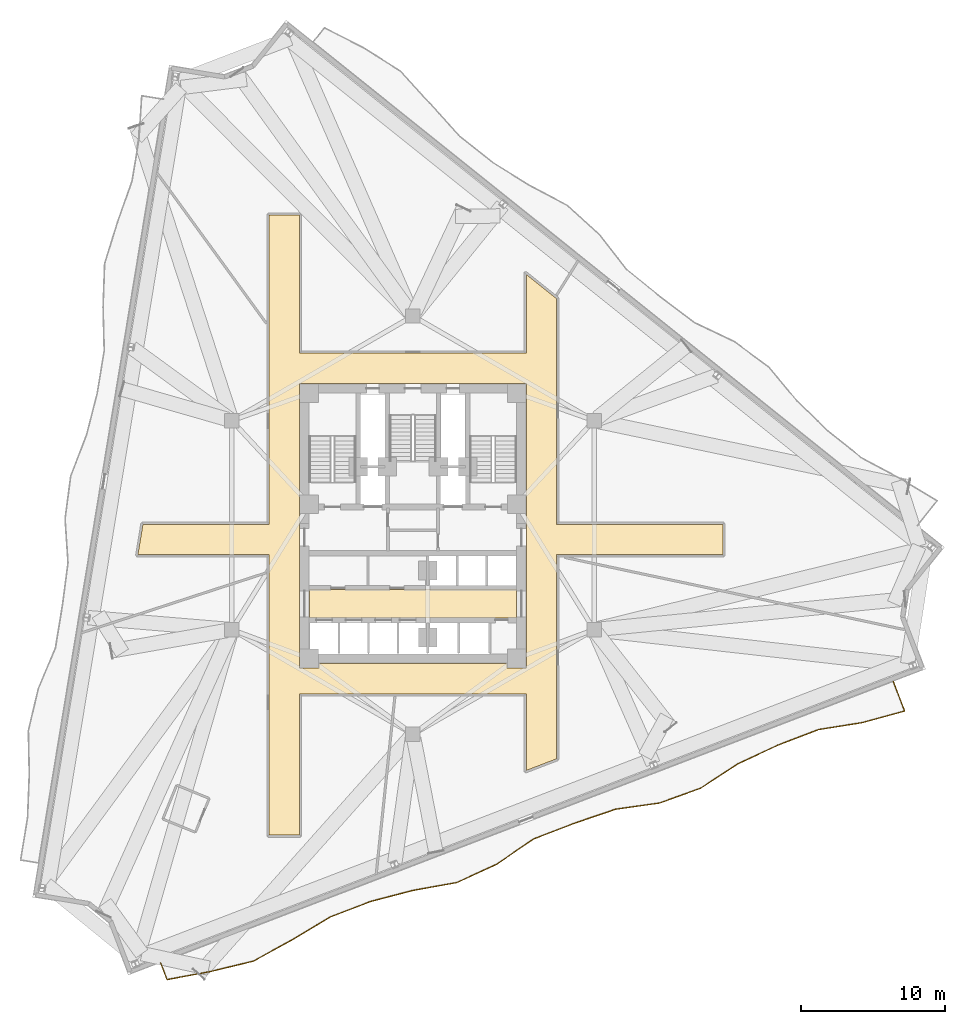
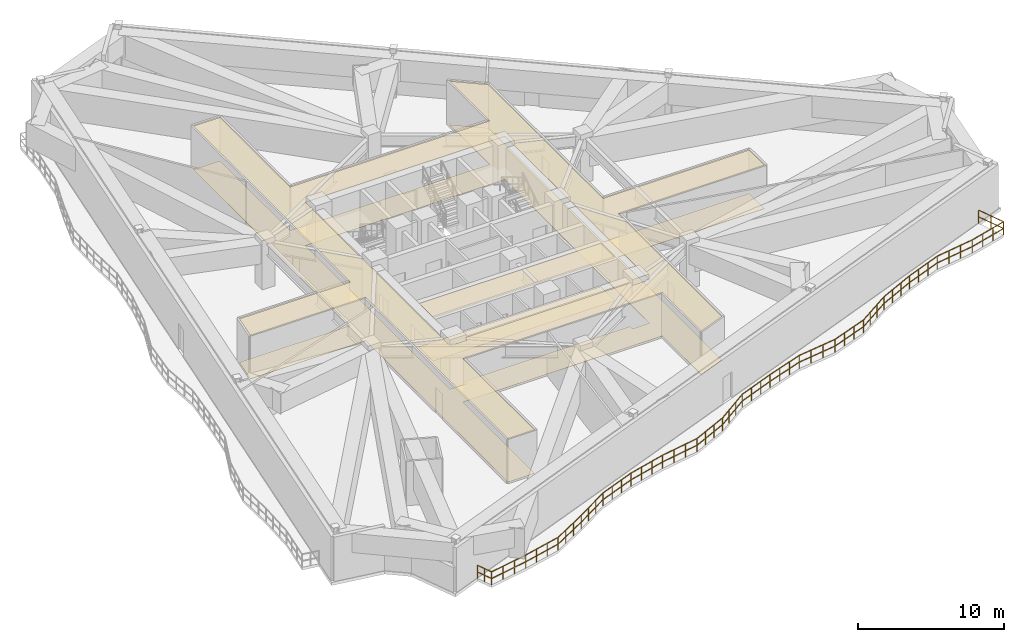
# One storey, part 11 of 14: 4 coverings, 1 railing.
"""IFC4 building model written with IfcOpenShell, lengths in metres."""

from ifc_helpers import new_model, si_unit, direction, frame, origin, origin_2d, place, context, subcontext, project, spatial, polyline, rectangle, outline, extrude, material, layer, layer_set, type_object, element, save


model = new_model("IFC4")

# Units and contexts
model_context = context("Model", 3, precision=1e-05, world=origin(), true_north=direction((0.0, 1.0)))
body_context = subcontext(model_context, "Body", "Model", "MODEL_VIEW")
ifc_project = project(units=[si_unit("LENGTHUNIT", "METRE"), si_unit("AREAUNIT", "SQUARE_METRE"), si_unit("VOLUMEUNIT", "CUBIC_METRE"), si_unit("PLANEANGLEUNIT", "RADIAN"), si_unit("MASSUNIT", "GRAM", prefix="KILO")], contexts=[model_context])

# Site, building, storey
site_placement = place(None, origin())
site = spatial("IfcSite", under=ifc_project, at=site_placement, CompositionType="ELEMENT")
building_placement = place(site_placement, origin())
building = spatial("IfcBuilding", under=site, at=building_placement, Name="Apsidion Concourse Tower", CompositionType="ELEMENT")
storey_placement = place(building_placement, frame((0.0, 0.0, 156.800048828125)))
storey = spatial("IfcBuildingStorey", under=building, at=storey_placement, Name="L36", CompositionType="ELEMENT", Elevation=156.800048828125)

# Coverings
ifc_material_1 = material(Name="Acoustic mineral fibre ceiling")
ifc_layer_1 = layer(ifc_material_1, 0.0400390625)
ifc_layer_set_1 = layer_set([ifc_layer_1], Name="Acoustic mineral fibre ceiling")
covering_type_1 = type_object("IfcCoveringType", Name="COV-CEIL-40", PredefinedType="CEILING", material=ifc_layer_set_1)
covering_1_placement = place(storey_placement, frame((0.0, 0.0, 3.599853515625)))
element("IfcCovering", 1, at=covering_1_placement, inside=storey, type_object=covering_type_1, Name="L36 Acoustic Ceiling Grid 1", PredefinedType="CEILING", context=body_context, shape_type="SweptSolid", body=[
    extrude(outline(polyline([(-7.179931640625, -6.449951171875), (-7.179931640625, -4.47998046875), (7.179931640625, -4.47998046875), (7.179931640625, -6.449951171875), (-7.179931640625, -6.449951171875)])), origin(), (0.0, 0.0, 1.0), 0.0400390625),
])
covering_2_placement = place(storey_placement, frame((0.0, 0.0, 3.599853515625)))
element("IfcCovering", 2, at=covering_2_placement, inside=storey, type_object=covering_type_1, Name="L36 Acoustic Ceiling Grid 2", PredefinedType="CEILING", context=body_context, shape_type="SweptSolid", body=[
    extrude(outline(polyline([(9.969970703125, -16.20458984375), (7.8701171875, -17.0107421875), (7.8701171875, -11.695068359375), (-7.8701171875, -11.695068359375), (-7.8701171875, -21.5), (-9.969970703125, -21.5), (-9.969970703125, -11.695068359375), (-9.969970703125, -2.050048828125), (-19.0703125, -2.050048828125), (-18.7255859375, 0.050048828125), (-9.969970703125, 0.050048828125), (-9.969970703125, 11.919921875), (-9.969970703125, 21.5), (-7.8701171875, 21.5), (-7.8701171875, 11.919921875), (7.8701171875, 11.919921875), (7.8701171875, 17.3798828125), (9.969970703125, 15.698974609375), (9.969970703125, 11.919921875), (9.969970703125, 0.050048828125), (21.5, 0.050048828125), (21.5, -2.050048828125), (9.969970703125, -2.050048828125), (9.969970703125, -11.695068359375), (9.969970703125, -16.20458984375)]), holes=[polyline([(7.8701171875, -8.60009765625), (7.8701171875, -2.050048828125), (7.8701171875, 0.050048828125), (7.8701171875, 0.800048828125), (7.8701171875, 2.10009765625), (7.8701171875, 8.5), (7.8701171875, 9.800048828125), (7.8701171875, 9.820068359375), (7.85009765625, 9.820068359375), (6.550048828125, 9.820068359375), (-6.550048828125, 9.820068359375), (-7.85009765625, 9.820068359375), (-7.8701171875, 9.820068359375), (-7.8701171875, 9.800048828125), (-7.8701171875, 8.5), (-7.8701171875, 2.10009765625), (-7.8701171875, 0.800048828125), (-7.8701171875, 0.050048828125), (-7.8701171875, -2.050048828125), (-7.8701171875, -8.60009765625), (-7.8701171875, -9.594970703125), (-7.8701171875, -9.89990234375), (-7.869873046875, -9.902099609375), (-7.86962890625, -9.90380859375), (-7.869140625, -9.90576171875), (-7.868408203125, -9.90771484375), (-7.86767578125, -9.909423828125), (-7.86669921875, -9.9111328125), (-7.865478515625, -9.91259765625), (-7.864013671875, -9.9140625), (-7.86279296875, -9.91552734375), (-7.861083984375, -9.91650390625), (-7.859375, -9.91748046875), (-7.857666015625, -9.91845703125), (-7.855712890625, -9.919189453125), (-7.85400390625, -9.919677734375), (-7.85205078125, -9.919921875), (-7.85009765625, -9.919921875), (-6.550048828125, -9.919921875), (-6.548095703125, -9.919921875), (-6.546142578125, -9.919677734375), (-6.544189453125, -9.919189453125), (-6.542236328125, -9.91845703125), (-6.54052734375, -9.91748046875), (-6.538818359375, -9.91650390625), (-6.537353515625, -9.91552734375), (-6.535888671875, -9.9140625), (-6.534423828125, -9.91259765625), (-6.533447265625, -9.9111328125), (-6.532470703125, -9.909423828125), (-6.531494140625, -9.90771484375), (-6.531005859375, -9.90576171875), (-6.530517578125, -9.90380859375), (-6.530029296875, -9.902099609375), (-6.530029296875, -9.89990234375), (-6.530029296875, -9.594970703125), (6.530029296875, -9.594970703125), (6.530029296875, -9.89990234375), (6.530029296875, -9.902099609375), (6.530517578125, -9.90380859375), (6.531005859375, -9.90576171875), (6.531494140625, -9.90771484375), (6.532470703125, -9.909423828125), (6.533447265625, -9.9111328125), (6.534423828125, -9.91259765625), (6.535888671875, -9.9140625), (6.537353515625, -9.91552734375), (6.538818359375, -9.91650390625), (6.54052734375, -9.91748046875), (6.542236328125, -9.91845703125), (6.544189453125, -9.919189453125), (6.546142578125, -9.919677734375), (6.548095703125, -9.919921875), (6.550048828125, -9.919921875), (7.85009765625, -9.919921875), (7.85205078125, -9.919921875), (7.85400390625, -9.919677734375), (7.855712890625, -9.919189453125), (7.857666015625, -9.91845703125), (7.859375, -9.91748046875), (7.861083984375, -9.91650390625), (7.86279296875, -9.91552734375), (7.864013671875, -9.9140625), (7.865478515625, -9.91259765625), (7.86669921875, -9.9111328125), (7.86767578125, -9.909423828125), (7.868408203125, -9.90771484375), (7.869140625, -9.90576171875), (7.86962890625, -9.90380859375), (7.869873046875, -9.902099609375), (7.8701171875, -9.89990234375), (7.8701171875, -9.594970703125), (7.8701171875, -8.60009765625)])]), origin(), (0.0, 0.0, 1.0), 0.0400390625),
])
ifc_material_2 = material(Name="Honed travertine floor finish", Category="masonry")
ifc_layer_2 = layer(ifc_material_2, 0.02001953125)
ifc_layer_set_2 = layer_set([ifc_layer_2], Name="Honed travertine floor finish")
covering_type_2 = type_object("IfcCoveringType", Name="COV-FLOR-20", PredefinedType="FLOORING", material=ifc_layer_set_2)
covering_3_placement = place(storey_placement, origin())
element("IfcCovering", 3, at=covering_3_placement, inside=storey, type_object=covering_type_2, Name="L36 Honed Travertine Floor Finish 1", PredefinedType="FLOORING", context=body_context, shape_type="SweptSolid", body=[
    extrude(outline(polyline([(-7.179931640625, -6.449951171875), (-7.179931640625, -4.47998046875), (7.179931640625, -4.47998046875), (7.179931640625, -6.449951171875), (-7.179931640625, -6.449951171875)])), origin(), (0.0, 0.0, 1.0), 0.02001953125),
])
covering_4_placement = place(storey_placement, origin())
element("IfcCovering", 4, at=covering_4_placement, inside=storey, type_object=covering_type_2, Name="L36 Honed Travertine Floor Finish 2", PredefinedType="FLOORING", context=body_context, shape_type="SweptSolid", body=[
    extrude(outline(polyline([(9.969970703125, -16.20458984375), (7.8701171875, -17.0107421875), (7.8701171875, -11.695068359375), (-7.8701171875, -11.695068359375), (-7.8701171875, -21.5), (-9.969970703125, -21.5), (-9.969970703125, -11.695068359375), (-9.969970703125, -2.050048828125), (-19.0703125, -2.050048828125), (-18.7255859375, 0.050048828125), (-9.969970703125, 0.050048828125), (-9.969970703125, 11.919921875), (-9.969970703125, 21.5), (-7.8701171875, 21.5), (-7.8701171875, 11.919921875), (7.8701171875, 11.919921875), (7.8701171875, 17.3798828125), (9.969970703125, 15.698974609375), (9.969970703125, 11.919921875), (9.969970703125, 0.050048828125), (21.5, 0.050048828125), (21.5, -2.050048828125), (9.969970703125, -2.050048828125), (9.969970703125, -11.695068359375), (9.969970703125, -16.20458984375)]), holes=[polyline([(7.8701171875, -8.60009765625), (7.8701171875, -2.050048828125), (7.8701171875, 0.050048828125), (7.8701171875, 0.800048828125), (7.8701171875, 2.10009765625), (7.8701171875, 8.5), (7.8701171875, 9.800048828125), (7.8701171875, 9.820068359375), (7.85009765625, 9.820068359375), (6.550048828125, 9.820068359375), (-6.550048828125, 9.820068359375), (-7.85009765625, 9.820068359375), (-7.8701171875, 9.820068359375), (-7.8701171875, 9.800048828125), (-7.8701171875, 8.5), (-7.8701171875, 2.10009765625), (-7.8701171875, 0.800048828125), (-7.8701171875, 0.050048828125), (-7.8701171875, -2.050048828125), (-7.8701171875, -8.60009765625), (-7.8701171875, -9.594970703125), (-7.8701171875, -9.89990234375), (-7.869873046875, -9.902099609375), (-7.86962890625, -9.90380859375), (-7.869140625, -9.90576171875), (-7.868408203125, -9.90771484375), (-7.86767578125, -9.909423828125), (-7.86669921875, -9.9111328125), (-7.865478515625, -9.91259765625), (-7.864013671875, -9.9140625), (-7.86279296875, -9.91552734375), (-7.861083984375, -9.91650390625), (-7.859375, -9.91748046875), (-7.857666015625, -9.91845703125), (-7.855712890625, -9.919189453125), (-7.85400390625, -9.919677734375), (-7.85205078125, -9.919921875), (-7.85009765625, -9.919921875), (-6.550048828125, -9.919921875), (-6.548095703125, -9.919921875), (-6.546142578125, -9.919677734375), (-6.544189453125, -9.919189453125), (-6.542236328125, -9.91845703125), (-6.54052734375, -9.91748046875), (-6.538818359375, -9.91650390625), (-6.537353515625, -9.91552734375), (-6.535888671875, -9.9140625), (-6.534423828125, -9.91259765625), (-6.533447265625, -9.9111328125), (-6.532470703125, -9.909423828125), (-6.531494140625, -9.90771484375), (-6.531005859375, -9.90576171875), (-6.530517578125, -9.90380859375), (-6.530029296875, -9.902099609375), (-6.530029296875, -9.89990234375), (-6.530029296875, -9.594970703125), (6.530029296875, -9.594970703125), (6.530029296875, -9.89990234375), (6.530029296875, -9.902099609375), (6.530517578125, -9.90380859375), (6.531005859375, -9.90576171875), (6.531494140625, -9.90771484375), (6.532470703125, -9.909423828125), (6.533447265625, -9.9111328125), (6.534423828125, -9.91259765625), (6.535888671875, -9.9140625), (6.537353515625, -9.91552734375), (6.538818359375, -9.91650390625), (6.54052734375, -9.91748046875), (6.542236328125, -9.91845703125), (6.544189453125, -9.919189453125), (6.546142578125, -9.919677734375), (6.548095703125, -9.919921875), (6.550048828125, -9.919921875), (7.85009765625, -9.919921875), (7.85205078125, -9.919921875), (7.85400390625, -9.919677734375), (7.855712890625, -9.919189453125), (7.857666015625, -9.91845703125), (7.859375, -9.91748046875), (7.861083984375, -9.91650390625), (7.86279296875, -9.91552734375), (7.864013671875, -9.9140625), (7.865478515625, -9.91259765625), (7.86669921875, -9.9111328125), (7.86767578125, -9.909423828125), (7.868408203125, -9.90771484375), (7.869140625, -9.90576171875), (7.86962890625, -9.90380859375), (7.869873046875, -9.902099609375), (7.8701171875, -9.89990234375), (7.8701171875, -9.594970703125), (7.8701171875, -8.60009765625)])]), origin(), (0.0, 0.0, 1.0), 0.02001953125),
])

# Railing
ifc_material_3 = material(Name="Brushed stainless steel 316", Category="steel")
railing_type = type_object("IfcRailingType", Name="RL-BAL-1120", PredefinedType="BALUSTRADE", material=ifc_material_3)
railing_placement = place(storey_placement, frame((33.314208984375, -10.847900390625, 0.0)))
element("IfcRailing", 5, at=railing_placement, inside=storey, type_object=railing_type, Name="L36 Face 2 Rippling Balcony Balustrade", PredefinedType="BALUSTRADE", context=body_context, shape_type="SweptSolid", body=[
    extrude(rectangle(XDim=0.048095703125, YDim=0.048095703125, at=origin_2d()), frame((0.0, 0.0, 1.09619140625), z_axis=(0.358366698084, -0.933580906887, 0.0), x_axis=(0.933580906887, 0.358366698084, 0.0)), (0.0, 0.0, 1.0), 2.19091796875),
    extrude(rectangle(XDim=0.048095703125, YDim=0.048095703125, at=origin_2d()), frame((0.0, 0.0, 0.5361328125), z_axis=(0.358366698084, -0.933580906887, 0.0), x_axis=(0.933580906887, 0.358366698084, 0.0)), (0.0, 0.0, 1.0), 2.19091796875),
    extrude(rectangle(XDim=0.048095703125, YDim=0.048095703125, at=origin_2d()), frame((0.78515625, -2.04541015625, 1.09619140625), z_axis=(-0.9644274254, -0.264347765522, 0.0), x_axis=(0.264347765522, -0.9644274254, 0.0)), (0.0, 0.0, 1.0), 3.03857421875),
    extrude(rectangle(XDim=0.048095703125, YDim=0.048095703125, at=origin_2d()), frame((0.78515625, -2.04541015625, 0.5361328125), z_axis=(-0.9644274254, -0.264347765522, 0.0), x_axis=(0.264347765522, -0.9644274254, 0.0)), (0.0, 0.0, 1.0), 3.03857421875),
    extrude(rectangle(XDim=0.048095703125, YDim=0.048095703125, at=origin_2d()), frame((-2.145263671875, -2.8486328125, 1.09619140625), z_axis=(-0.987581699024, -0.157106294438, 0.0), x_axis=(0.157106294438, -0.987581699024, 0.0)), (0.0, 0.0, 1.0), 3.0908203125),
    extrude(rectangle(XDim=0.048095703125, YDim=0.048095703125, at=origin_2d()), frame((-2.145263671875, -2.8486328125, 0.5361328125), z_axis=(-0.987581699024, -0.157106294438, 0.0), x_axis=(0.157106294438, -0.987581699024, 0.0)), (0.0, 0.0, 1.0), 3.0908203125),
    extrude(rectangle(XDim=0.048095703125, YDim=0.048095703125, at=origin_2d()), frame((-5.19775390625, -3.334228515625, 1.09619140625), z_axis=(-0.93357015714, -0.35839470099, 0.0), x_axis=(0.35839470099, -0.93357015714, 0.0)), (0.0, 0.0, 1.0), 3.02392578125),
    extrude(rectangle(XDim=0.048095703125, YDim=0.048095703125, at=origin_2d()), frame((-5.19775390625, -3.334228515625, 0.5361328125), z_axis=(-0.93357015714, -0.35839470099, 0.0), x_axis=(0.35839470099, -0.93357015714, 0.0)), (0.0, 0.0, 1.0), 3.02392578125),
    extrude(rectangle(XDim=0.048095703125, YDim=0.048095703125, at=origin_2d()), frame((-8.020751953125, -4.41796875, 1.09619140625), z_axis=(-0.90580007103, -0.42370535909, 0.0), x_axis=(0.42370535909, -0.90580007103, 0.0)), (0.0, 0.0, 1.0), 3.031494140625),
    extrude(rectangle(XDim=0.048095703125, YDim=0.048095703125, at=origin_2d()), frame((-8.020751953125, -4.41796875, 0.5361328125), z_axis=(-0.90580007103, -0.42370535909, 0.0), x_axis=(0.42370535909, -0.90580007103, 0.0)), (0.0, 0.0, 1.0), 3.031494140625),
    extrude(rectangle(XDim=0.048095703125, YDim=0.048095703125, at=origin_2d()), frame((-10.7666015625, -5.702392578125, 1.09619140625), z_axis=(-0.837271242063, -0.546787771639, 0.0), x_axis=(0.546787771639, -0.837271242063, 0.0)), (0.0, 0.0, 1.0), 3.093017578125),
    extrude(rectangle(XDim=0.048095703125, YDim=0.048095703125, at=origin_2d()), frame((-10.7666015625, -5.702392578125, 0.5361328125), z_axis=(-0.837271242063, -0.546787771639, 0.0), x_axis=(0.546787771639, -0.837271242063, 0.0)), (0.0, 0.0, 1.0), 3.093017578125),
    extrude(rectangle(XDim=0.048095703125, YDim=0.048095703125, at=origin_2d()), frame((-13.356201171875, -7.3935546875, 1.09619140625), z_axis=(-0.940249810587, -0.340485379555, 0.0), x_axis=(0.340485379555, -0.940249810587, 0.0)), (0.0, 0.0, 1.0), 3.0244140625),
    extrude(rectangle(XDim=0.048095703125, YDim=0.048095703125, at=origin_2d()), frame((-13.356201171875, -7.3935546875, 0.5361328125), z_axis=(-0.940249810587, -0.340485379555, 0.0), x_axis=(0.340485379555, -0.940249810587, 0.0)), (0.0, 0.0, 1.0), 3.0244140625),
    extrude(rectangle(XDim=0.048095703125, YDim=0.048095703125, at=origin_2d()), frame((-16.199951171875, -8.42333984375, 1.09619140625), z_axis=(-0.990096892089, -0.140385698258, 0.0), x_axis=(0.140385698258, -0.990096892089, 0.0)), (0.0, 0.0, 1.0), 3.1025390625),
    extrude(rectangle(XDim=0.048095703125, YDim=0.048095703125, at=origin_2d()), frame((-16.199951171875, -8.42333984375, 0.5361328125), z_axis=(-0.990096892089, -0.140385698258, 0.0), x_axis=(0.140385698258, -0.990096892089, 0.0)), (0.0, 0.0, 1.0), 3.1025390625),
    extrude(rectangle(XDim=0.048095703125, YDim=0.048095703125, at=origin_2d()), frame((-19.271728515625, -8.85888671875, 1.09619140625), z_axis=(-0.946408214161, -0.322972896956, 0.0), x_axis=(0.322972896956, -0.946408214161, 0.0)), (0.0, 0.0, 1.0), 3.02587890625),
    extrude(rectangle(XDim=0.048095703125, YDim=0.048095703125, at=origin_2d()), frame((-19.271728515625, -8.85888671875, 0.5361328125), z_axis=(-0.946408214161, -0.322972896956, 0.0), x_axis=(0.322972896956, -0.946408214161, 0.0)), (0.0, 0.0, 1.0), 3.02587890625),
    extrude(rectangle(XDim=0.048095703125, YDim=0.048095703125, at=origin_2d()), frame((-22.135498046875, -9.836181640625, 1.09619140625), z_axis=(-0.933376817342, -0.358897919817, 0.0), x_axis=(0.358897919817, -0.933376817342, 0.0)), (0.0, 0.0, 1.0), 3.023681640625),
    extrude(rectangle(XDim=0.048095703125, YDim=0.048095703125, at=origin_2d()), frame((-22.135498046875, -9.836181640625, 0.5361328125), z_axis=(-0.933376817342, -0.358897919817, 0.0), x_axis=(0.358897919817, -0.933376817342, 0.0)), (0.0, 0.0, 1.0), 3.023681640625),
    extrude(rectangle(XDim=0.048095703125, YDim=0.048095703125, at=origin_2d()), frame((-24.957763671875, -10.92138671875, 1.09619140625), z_axis=(-0.824804191796, -0.565418469097, 0.0), x_axis=(0.565418469097, -0.824804191796, 0.0)), (0.0, 0.0, 1.0), 3.10888671875),
    extrude(rectangle(XDim=0.048095703125, YDim=0.048095703125, at=origin_2d()), frame((-24.957763671875, -10.92138671875, 0.5361328125), z_axis=(-0.824804191796, -0.565418469097, 0.0), x_axis=(0.565418469097, -0.824804191796, 0.0)), (0.0, 0.0, 1.0), 3.10888671875),
    extrude(rectangle(XDim=0.048095703125, YDim=0.048095703125, at=origin_2d()), frame((-27.52197265625, -12.67919921875, 1.09619140625), z_axis=(-0.909048289523, -0.416690781413, 0.0), x_axis=(0.416690781413, -0.909048289523, 0.0)), (0.0, 0.0, 1.0), 3.02978515625),
    extrude(rectangle(XDim=0.048095703125, YDim=0.048095703125, at=origin_2d()), frame((-27.52197265625, -12.67919921875, 0.5361328125), z_axis=(-0.909048289523, -0.416690781413, 0.0), x_axis=(0.416690781413, -0.909048289523, 0.0)), (0.0, 0.0, 1.0), 3.02978515625),
    extrude(rectangle(XDim=0.048095703125, YDim=0.048095703125, at=origin_2d()), frame((-30.276123046875, -13.941650390625, 1.09619140625), z_axis=(-0.984325961116, -0.176358731775, 0.0), x_axis=(0.176358731775, -0.984325961116, 0.0)), (0.0, 0.0, 1.0), 3.078857421875),
    extrude(rectangle(XDim=0.048095703125, YDim=0.048095703125, at=origin_2d()), frame((-30.276123046875, -13.941650390625, 0.5361328125), z_axis=(-0.984325961116, -0.176358731775, 0.0), x_axis=(0.176358731775, -0.984325961116, 0.0)), (0.0, 0.0, 1.0), 3.078857421875),
    extrude(rectangle(XDim=0.048095703125, YDim=0.048095703125, at=origin_2d()), frame((-33.306640625, -14.484619140625, 1.09619140625), z_axis=(-0.967480779108, -0.252944543443, 0.0), x_axis=(0.252944543443, -0.967480779108, 0.0)), (0.0, 0.0, 1.0), 3.042236328125),
    extrude(rectangle(XDim=0.048095703125, YDim=0.048095703125, at=origin_2d()), frame((-33.306640625, -14.484619140625, 0.5361328125), z_axis=(-0.967480779108, -0.252944543443, 0.0), x_axis=(0.252944543443, -0.967480779108, 0.0)), (0.0, 0.0, 1.0), 3.042236328125),
    extrude(rectangle(XDim=0.048095703125, YDim=0.048095703125, at=origin_2d()), frame((-36.25, -15.254150390625, 1.09619140625), z_axis=(-0.93357015714, -0.35839470099, 0.0), x_axis=(0.35839470099, -0.93357015714, 0.0)), (0.0, 0.0, 1.0), 3.02392578125),
    extrude(rectangle(XDim=0.048095703125, YDim=0.048095703125, at=origin_2d()), frame((-36.25, -15.254150390625, 0.5361328125), z_axis=(-0.93357015714, -0.35839470099, 0.0), x_axis=(0.35839470099, -0.93357015714, 0.0)), (0.0, 0.0, 1.0), 3.02392578125),
    extrude(rectangle(XDim=0.048095703125, YDim=0.048095703125, at=origin_2d()), frame((-39.072998046875, -16.337890625, 1.09619140625), z_axis=(-0.857394678345, -0.514659465614, 0.0), x_axis=(0.514659465614, -0.857394678345, 0.0)), (0.0, 0.0, 1.0), 3.070068359375),
    extrude(rectangle(XDim=0.048095703125, YDim=0.048095703125, at=origin_2d()), frame((-39.072998046875, -16.337890625, 0.5361328125), z_axis=(-0.857394678345, -0.514659465614, 0.0), x_axis=(0.514659465614, -0.857394678345, 0.0)), (0.0, 0.0, 1.0), 3.070068359375),
    extrude(rectangle(XDim=0.048095703125, YDim=0.048095703125, at=origin_2d()), frame((-41.705322265625, -17.91796875, 1.09619140625), z_axis=(-0.875725782432, -0.482808817218, 0.0), x_axis=(0.482808817218, -0.875725782432, 0.0)), (0.0, 0.0, 1.0), 3.052734375),
    extrude(rectangle(XDim=0.048095703125, YDim=0.048095703125, at=origin_2d()), frame((-41.705322265625, -17.91796875, 0.5361328125), z_axis=(-0.875725782432, -0.482808817218, 0.0), x_axis=(0.482808817218, -0.875725782432, 0.0)), (0.0, 0.0, 1.0), 3.052734375),
    extrude(rectangle(XDim=0.048095703125, YDim=0.048095703125, at=origin_2d()), frame((-44.378662109375, -19.391845703125, 1.09619140625), z_axis=(-0.972174697268, -0.234257034028, 0.0), x_axis=(0.234257034028, -0.972174697268, 0.0)), (0.0, 0.0, 1.0), 3.049560546875),
    extrude(rectangle(XDim=0.048095703125, YDim=0.048095703125, at=origin_2d()), frame((-44.378662109375, -19.391845703125, 0.5361328125), z_axis=(-0.972174697268, -0.234257034028, 0.0), x_axis=(0.234257034028, -0.972174697268, 0.0)), (0.0, 0.0, 1.0), 3.049560546875),
    extrude(rectangle(XDim=0.048095703125, YDim=0.048095703125, at=origin_2d()), frame((-47.34326171875, -20.106201171875, 1.09619140625), z_axis=(-0.982893758282, -0.184173450667, 0.0), x_axis=(0.184173450667, -0.982893758282, 0.0)), (0.0, 0.0, 1.0), 3.073974609375),
    extrude(rectangle(XDim=0.048095703125, YDim=0.048095703125, at=origin_2d()), frame((-47.34326171875, -20.106201171875, 0.5361328125), z_axis=(-0.982893758282, -0.184173450667, 0.0), x_axis=(0.184173450667, -0.982893758282, 0.0)), (0.0, 0.0, 1.0), 3.073974609375),
    extrude(rectangle(XDim=0.048095703125, YDim=0.048095703125, at=origin_2d()), frame((-50.36474609375, -20.67236328125, 1.09619140625), z_axis=(-0.358390063807, 0.933571937327, 0.0), x_axis=(-0.933571937327, -0.358390063807, 0.0)), (0.0, 0.0, 1.0), 1.25),
    extrude(rectangle(XDim=0.048095703125, YDim=0.048095703125, at=origin_2d()), frame((-50.36474609375, -20.67236328125, 0.5361328125), z_axis=(-0.358390063807, 0.933571937327, 0.0), x_axis=(-0.933571937327, -0.358390063807, 0.0)), (0.0, 0.0, 1.0), 1.25),
    extrude(rectangle(XDim=0.0419921875, YDim=0.0419921875, at=origin_2d()), origin(), (0.0, 0.0, 1.0), 1.072021484375),
    extrude(rectangle(XDim=0.0419921875, YDim=0.0419921875, at=origin_2d()), frame((0.392578125, -1.022705078125, 0.0)), (0.0, 0.0, 1.0), 1.072021484375),
    extrude(rectangle(XDim=0.0419921875, YDim=0.0419921875, at=origin_2d()), frame((0.78515625, -2.04541015625, 0.0)), (0.0, 0.0, 1.0), 1.072021484375),
    extrude(rectangle(XDim=0.0419921875, YDim=0.0419921875, at=origin_2d()), frame((-0.191650390625, -2.313232421875, 0.0)), (0.0, 0.0, 1.0), 1.072021484375),
    extrude(rectangle(XDim=0.0419921875, YDim=0.0419921875, at=origin_2d()), frame((-1.16845703125, -2.580810546875, 0.0)), (0.0, 0.0, 1.0), 1.072021484375),
    extrude(rectangle(XDim=0.0419921875, YDim=0.0419921875, at=origin_2d()), frame((-2.145263671875, -2.8486328125, 0.0)), (0.0, 0.0, 1.0), 1.072021484375),
    extrude(rectangle(XDim=0.0419921875, YDim=0.0419921875, at=origin_2d()), frame((-3.162841796875, -3.010498046875, 0.0)), (0.0, 0.0, 1.0), 1.072021484375),
    extrude(rectangle(XDim=0.0419921875, YDim=0.0419921875, at=origin_2d()), frame((-4.18017578125, -3.17236328125, 0.0)), (0.0, 0.0, 1.0), 1.072021484375),
    extrude(rectangle(XDim=0.0419921875, YDim=0.0419921875, at=origin_2d()), frame((-5.19775390625, -3.334228515625, 0.0)), (0.0, 0.0, 1.0), 1.072021484375),
    extrude(rectangle(XDim=0.0419921875, YDim=0.0419921875, at=origin_2d()), frame((-6.138671875, -3.695556640625, 0.0)), (0.0, 0.0, 1.0), 1.072021484375),
    extrude(rectangle(XDim=0.0419921875, YDim=0.0419921875, at=origin_2d()), frame((-7.079833984375, -4.056640625, 0.0)), (0.0, 0.0, 1.0), 1.072021484375),
    extrude(rectangle(XDim=0.0419921875, YDim=0.0419921875, at=origin_2d()), frame((-8.020751953125, -4.41796875, 0.0)), (0.0, 0.0, 1.0), 1.072021484375),
    extrude(rectangle(XDim=0.0419921875, YDim=0.0419921875, at=origin_2d()), frame((-8.93603515625, -4.84619140625, 0.0)), (0.0, 0.0, 1.0), 1.072021484375),
    extrude(rectangle(XDim=0.0419921875, YDim=0.0419921875, at=origin_2d()), frame((-9.851318359375, -5.274169921875, 0.0)), (0.0, 0.0, 1.0), 1.072021484375),
    extrude(rectangle(XDim=0.0419921875, YDim=0.0419921875, at=origin_2d()), frame((-10.7666015625, -5.702392578125, 0.0)), (0.0, 0.0, 1.0), 1.072021484375),
    extrude(rectangle(XDim=0.0419921875, YDim=0.0419921875, at=origin_2d()), frame((-11.6298828125, -6.26611328125, 0.0)), (0.0, 0.0, 1.0), 1.072021484375),
    extrude(rectangle(XDim=0.0419921875, YDim=0.0419921875, at=origin_2d()), frame((-12.492919921875, -6.829833984375, 0.0)), (0.0, 0.0, 1.0), 1.072021484375),
    extrude(rectangle(XDim=0.0419921875, YDim=0.0419921875, at=origin_2d()), frame((-13.356201171875, -7.3935546875, 0.0)), (0.0, 0.0, 1.0), 1.072021484375),
    extrude(rectangle(XDim=0.0419921875, YDim=0.0419921875, at=origin_2d()), frame((-14.30419921875, -7.73681640625, 0.0)), (0.0, 0.0, 1.0), 1.072021484375),
    extrude(rectangle(XDim=0.0419921875, YDim=0.0419921875, at=origin_2d()), frame((-15.251953125, -8.080078125, 0.0)), (0.0, 0.0, 1.0), 1.072021484375),
    extrude(rectangle(XDim=0.0419921875, YDim=0.0419921875, at=origin_2d()), frame((-16.199951171875, -8.42333984375, 0.0)), (0.0, 0.0, 1.0), 1.072021484375),
    extrude(rectangle(XDim=0.0419921875, YDim=0.0419921875, at=origin_2d()), frame((-17.223876953125, -8.568603515625, 0.0)), (0.0, 0.0, 1.0), 1.072021484375),
    extrude(rectangle(XDim=0.0419921875, YDim=0.0419921875, at=origin_2d()), frame((-18.247802734375, -8.713623046875, 0.0)), (0.0, 0.0, 1.0), 1.072021484375),
    extrude(rectangle(XDim=0.0419921875, YDim=0.0419921875, at=origin_2d()), frame((-19.271728515625, -8.85888671875, 0.0)), (0.0, 0.0, 1.0), 1.072021484375),
    extrude(rectangle(XDim=0.0419921875, YDim=0.0419921875, at=origin_2d()), frame((-20.226318359375, -9.1845703125, 0.0)), (0.0, 0.0, 1.0), 1.072021484375),
    extrude(rectangle(XDim=0.0419921875, YDim=0.0419921875, at=origin_2d()), frame((-21.180908203125, -9.510498046875, 0.0)), (0.0, 0.0, 1.0), 1.072021484375),
    extrude(rectangle(XDim=0.0419921875, YDim=0.0419921875, at=origin_2d()), frame((-22.135498046875, -9.836181640625, 0.0)), (0.0, 0.0, 1.0), 1.072021484375),
    extrude(rectangle(XDim=0.0419921875, YDim=0.0419921875, at=origin_2d()), frame((-23.076171875, -10.197998046875, 0.0)), (0.0, 0.0, 1.0), 1.072021484375),
    extrude(rectangle(XDim=0.0419921875, YDim=0.0419921875, at=origin_2d()), frame((-24.01708984375, -10.5595703125, 0.0)), (0.0, 0.0, 1.0), 1.072021484375),
    extrude(rectangle(XDim=0.0419921875, YDim=0.0419921875, at=origin_2d()), frame((-24.957763671875, -10.92138671875, 0.0)), (0.0, 0.0, 1.0), 1.072021484375),
    extrude(rectangle(XDim=0.0419921875, YDim=0.0419921875, at=origin_2d()), frame((-25.8125, -11.50732421875, 0.0)), (0.0, 0.0, 1.0), 1.072021484375),
    extrude(rectangle(XDim=0.0419921875, YDim=0.0419921875, at=origin_2d()), frame((-26.667236328125, -12.09326171875, 0.0)), (0.0, 0.0, 1.0), 1.072021484375),
    extrude(rectangle(XDim=0.0419921875, YDim=0.0419921875, at=origin_2d()), frame((-27.52197265625, -12.67919921875, 0.0)), (0.0, 0.0, 1.0), 1.072021484375),
    extrude(rectangle(XDim=0.0419921875, YDim=0.0419921875, at=origin_2d()), frame((-28.43994140625, -13.10009765625, 0.0)), (0.0, 0.0, 1.0), 1.072021484375),
    extrude(rectangle(XDim=0.0419921875, YDim=0.0419921875, at=origin_2d()), frame((-29.358154296875, -13.520751953125, 0.0)), (0.0, 0.0, 1.0), 1.072021484375),
    extrude(rectangle(XDim=0.0419921875, YDim=0.0419921875, at=origin_2d()), frame((-30.276123046875, -13.941650390625, 0.0)), (0.0, 0.0, 1.0), 1.072021484375),
    extrude(rectangle(XDim=0.0419921875, YDim=0.0419921875, at=origin_2d()), frame((-31.286376953125, -14.12255859375, 0.0)), (0.0, 0.0, 1.0), 1.072021484375),
    extrude(rectangle(XDim=0.0419921875, YDim=0.0419921875, at=origin_2d()), frame((-32.29638671875, -14.3037109375, 0.0)), (0.0, 0.0, 1.0), 1.072021484375),
    extrude(rectangle(XDim=0.0419921875, YDim=0.0419921875, at=origin_2d()), frame((-33.306640625, -14.484619140625, 0.0)), (0.0, 0.0, 1.0), 1.072021484375),
    extrude(rectangle(XDim=0.0419921875, YDim=0.0419921875, at=origin_2d()), frame((-34.287841796875, -14.7412109375, 0.0)), (0.0, 0.0, 1.0), 1.072021484375),
    extrude(rectangle(XDim=0.0419921875, YDim=0.0419921875, at=origin_2d()), frame((-35.268798828125, -14.99755859375, 0.0)), (0.0, 0.0, 1.0), 1.072021484375),
    extrude(rectangle(XDim=0.0419921875, YDim=0.0419921875, at=origin_2d()), frame((-36.25, -15.254150390625, 0.0)), (0.0, 0.0, 1.0), 1.072021484375),
    extrude(rectangle(XDim=0.0419921875, YDim=0.0419921875, at=origin_2d()), frame((-37.19091796875, -15.615478515625, 0.0)), (0.0, 0.0, 1.0), 1.072021484375),
    extrude(rectangle(XDim=0.0419921875, YDim=0.0419921875, at=origin_2d()), frame((-38.132080078125, -15.9765625, 0.0)), (0.0, 0.0, 1.0), 1.072021484375),
    extrude(rectangle(XDim=0.0419921875, YDim=0.0419921875, at=origin_2d()), frame((-39.072998046875, -16.337890625, 0.0)), (0.0, 0.0, 1.0), 1.072021484375),
    extrude(rectangle(XDim=0.0419921875, YDim=0.0419921875, at=origin_2d()), frame((-39.950439453125, -16.864501953125, 0.0)), (0.0, 0.0, 1.0), 1.072021484375),
    extrude(rectangle(XDim=0.0419921875, YDim=0.0419921875, at=origin_2d()), frame((-40.827880859375, -17.391357421875, 0.0)), (0.0, 0.0, 1.0), 1.072021484375),
    extrude(rectangle(XDim=0.0419921875, YDim=0.0419921875, at=origin_2d()), frame((-41.705322265625, -17.91796875, 0.0)), (0.0, 0.0, 1.0), 1.072021484375),
    extrude(rectangle(XDim=0.0419921875, YDim=0.0419921875, at=origin_2d()), frame((-42.596435546875, -18.4091796875, 0.0)), (0.0, 0.0, 1.0), 1.072021484375),
    extrude(rectangle(XDim=0.0419921875, YDim=0.0419921875, at=origin_2d()), frame((-43.487548828125, -18.900634765625, 0.0)), (0.0, 0.0, 1.0), 1.072021484375),
    extrude(rectangle(XDim=0.0419921875, YDim=0.0419921875, at=origin_2d()), frame((-44.378662109375, -19.391845703125, 0.0)), (0.0, 0.0, 1.0), 1.072021484375),
    extrude(rectangle(XDim=0.0419921875, YDim=0.0419921875, at=origin_2d()), frame((-45.366943359375, -19.6298828125, 0.0)), (0.0, 0.0, 1.0), 1.072021484375),
    extrude(rectangle(XDim=0.0419921875, YDim=0.0419921875, at=origin_2d()), frame((-46.35498046875, -19.8681640625, 0.0)), (0.0, 0.0, 1.0), 1.072021484375),
    extrude(rectangle(XDim=0.0419921875, YDim=0.0419921875, at=origin_2d()), frame((-47.34326171875, -20.106201171875, 0.0)), (0.0, 0.0, 1.0), 1.072021484375),
    extrude(rectangle(XDim=0.0419921875, YDim=0.0419921875, at=origin_2d()), frame((-48.350341796875, -20.294921875, 0.0)), (0.0, 0.0, 1.0), 1.072021484375),
    extrude(rectangle(XDim=0.0419921875, YDim=0.0419921875, at=origin_2d()), frame((-49.357666015625, -20.483642578125, 0.0)), (0.0, 0.0, 1.0), 1.072021484375),
    extrude(rectangle(XDim=0.0419921875, YDim=0.0419921875, at=origin_2d()), frame((-50.36474609375, -20.67236328125, 0.0)), (0.0, 0.0, 1.0), 1.072021484375),
    extrude(rectangle(XDim=0.0419921875, YDim=0.0419921875, at=origin_2d()), frame((-50.5888671875, -20.0888671875, 0.0)), (0.0, 0.0, 1.0), 1.072021484375),
    extrude(rectangle(XDim=0.0419921875, YDim=0.0419921875, at=origin_2d()), frame((-50.812744140625, -19.50537109375, 0.0)), (0.0, 0.0, 1.0), 1.072021484375),
])

save(model, "model.ifc")
